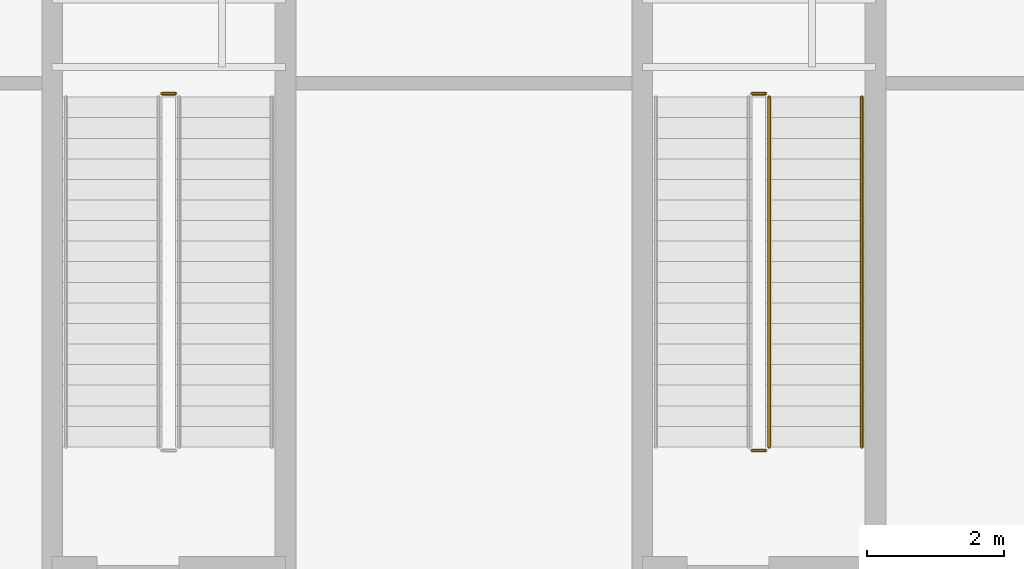
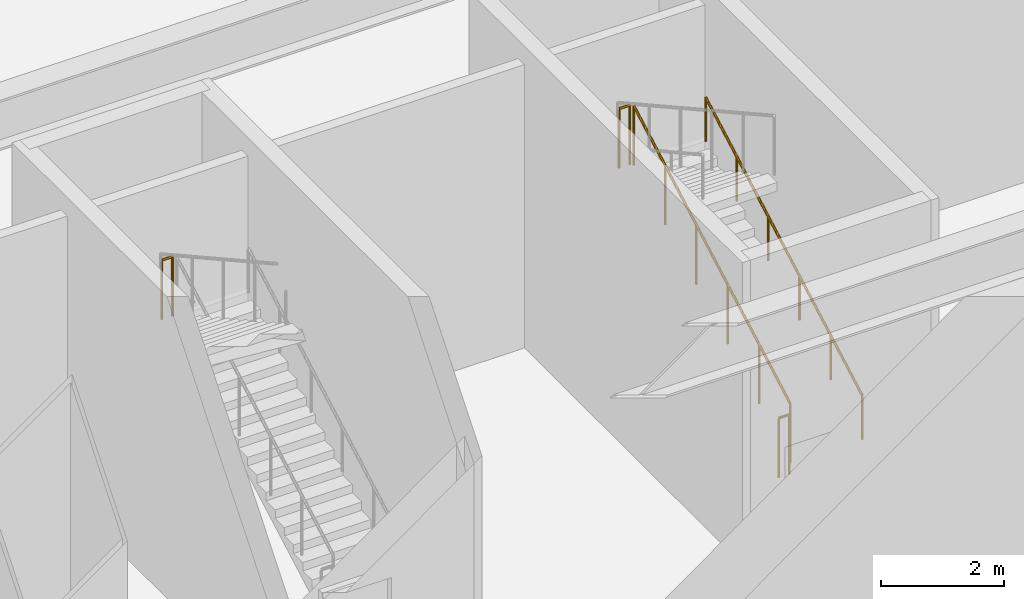
# One storey, part 17 of 20: 5 railings.
"""IFC4 building model written with IfcOpenShell, lengths in metres."""

from ifc_helpers import new_model, si_unit, direction, frame, origin, origin_2d, place, context, subcontext, project, spatial, circle, extrude, material, type_object, element, save


model = new_model("IFC4")

# Units and contexts
model_context = context("Model", 3, precision=1e-05, world=origin(), true_north=direction((0.0, 1.0)))
body_context = subcontext(model_context, "Body", "Model", "MODEL_VIEW")
ifc_project = project(units=[si_unit("LENGTHUNIT", "METRE"), si_unit("AREAUNIT", "SQUARE_METRE"), si_unit("VOLUMEUNIT", "CUBIC_METRE"), si_unit("PLANEANGLEUNIT", "RADIAN"), si_unit("MASSUNIT", "GRAM", prefix="KILO")], contexts=[model_context])

# Site, building, storey
site_placement = place(None, origin())
site = spatial("IfcSite", under=ifc_project, at=site_placement, CompositionType="ELEMENT")
building_placement = place(site_placement, origin())
building = spatial("IfcBuilding", under=site, at=building_placement, Name="Qiaolan Cultural Towers", CompositionType="ELEMENT")
storey_placement = place(building_placement, frame((0.0, 0.0, -12.0)))
storey = spatial("IfcBuildingStorey", under=building, at=storey_placement, Name="B2", CompositionType="ELEMENT", Elevation=-12.0)

# Railings
ifc_material_1 = material(Name="Galvanized Painted Steel Stair Guardrail", Category="steel")
railing_type_1 = type_object("IfcRailingType", Name="RL-STAIR-GRD", PredefinedType="GUARDRAIL", material=ifc_material_1)
railing_1_placement = place(storey_placement, frame((51.949951171875, 10.35009765625, 3.0)))
element("IfcRailing", 1, at=railing_1_placement, inside=storey, type_object=railing_type_1, Name="B2 ST-M1 stair guard 2", PredefinedType="GUARDRAIL", context=body_context, shape_type="SweptSolid", body=[
    extrude(circle(Radius=0.02392578125, at=origin_2d()), frame((0.0, 0.0, 1.17578125), z_axis=(-1.0, 0.0, 0.0), x_axis=(0.0, -1.0, 0.0)), (0.0, 0.0, 1.0), 0.199951171875),
    extrude(circle(Radius=0.02099609375, at=origin_2d()), origin(), (0.0, 0.0, 1.0), 1.15185546875),
    extrude(circle(Radius=0.02099609375, at=origin_2d()), frame((-0.199951171875, 0.0, 0.0)), (0.0, 0.0, 1.0), 1.15185546875),
])
railing_2_placement = place(storey_placement, frame((60.60009765625, 5.199951171875, 0.166748046875)))
element("IfcRailing", 2, at=railing_2_placement, inside=storey, type_object=railing_type_1, Name="B2 ST-M2 stair guard 1", PredefinedType="GUARDRAIL", context=body_context, shape_type="SweptSolid", body=[
    extrude(circle(Radius=0.02392578125, at=origin_2d()), frame((0.0, 0.0, 1.17578125), z_axis=(0.0, 0.874167145328, 0.485625166182), x_axis=(-1.0, 0.0, 0.0)), (0.0, 0.0, 1.0), 5.834228515625),
    extrude(circle(Radius=0.02099609375, at=origin_2d()), origin(), (0.0, 0.0, 1.0), 1.15185546875),
    extrude(circle(Radius=0.02099609375, at=origin_2d()), frame((0.0, 1.02001953125, 0.566650390625)), (0.0, 0.0, 1.0), 1.15185546875),
    extrude(circle(Radius=0.02099609375, at=origin_2d()), frame((0.0, 2.0400390625, 1.13330078125)), (0.0, 0.0, 1.0), 1.15185546875),
    extrude(circle(Radius=0.02099609375, at=origin_2d()), frame((0.0, 3.06005859375, 1.699951171875)), (0.0, 0.0, 1.0), 1.15185546875),
    extrude(circle(Radius=0.02099609375, at=origin_2d()), frame((0.0, 4.080078125, 2.2666015625)), (0.0, 0.0, 1.0), 1.15185546875),
    extrude(circle(Radius=0.02099609375, at=origin_2d()), frame((0.0, 5.10009765625, 2.833251953125)), (0.0, 0.0, 1.0), 1.15185546875),
])
for number, where, name in (
    (3, (60.550048828125, 10.35009765625, 3.0), "B2 ST-M2 stair guard 2"),
    (4, (60.550048828125, 5.14990234375, 0.0), "B2 ST-M2 stair guard 4"),
):
    element("IfcRailing", number, at=place(storey_placement, frame(where)), inside=storey, type_object=railing_type_1, Name=name, PredefinedType="GUARDRAIL", context=body_context, shape_type="SweptSolid", body=[
        extrude(circle(Radius=0.02392578125, at=origin_2d()), frame((0.0, 0.0, 1.17578125), z_axis=(-1.0, 0.0, 0.0), x_axis=(0.0, -1.0, 0.0)), (0.0, 0.0, 1.0), 0.199951171875),
        extrude(circle(Radius=0.02099609375, at=origin_2d()), origin(), (0.0, 0.0, 1.0), 1.15185546875),
        extrude(circle(Radius=0.02099609375, at=origin_2d()), frame((-0.199951171875, 0.0, 0.0)), (0.0, 0.0, 1.0), 1.15185546875),
    ])
ifc_material_2 = material(Name="Stainless Steel S30408 Tubular Handrail", Category="steel")
railing_type_2 = type_object("IfcRailingType", Name="RL-STAIR-HR", PredefinedType="HANDRAIL", material=ifc_material_2)
railing_3_placement = place(storey_placement, frame((61.949951171875, 5.199951171875, 0.166748046875)))
element("IfcRailing", 5, at=railing_3_placement, inside=storey, type_object=railing_type_2, Name="B2 ST-M2 stair handrail 1", PredefinedType="HANDRAIL", context=body_context, shape_type="SweptSolid", body=[
    extrude(circle(Radius=0.02392578125, at=origin_2d()), frame((0.0, 0.0, 0.8759765625), z_axis=(0.0, 0.874167145328, 0.485625166182), x_axis=(-1.0, 0.0, 0.0)), (0.0, 0.0, 1.0), 5.834228515625),
    extrude(circle(Radius=0.02099609375, at=origin_2d()), origin(), (0.0, 0.0, 1.0), 0.851806640625),
    extrude(circle(Radius=0.02099609375, at=origin_2d()), frame((0.0, 1.02001953125, 0.566650390625)), (0.0, 0.0, 1.0), 0.851806640625),
    extrude(circle(Radius=0.02099609375, at=origin_2d()), frame((0.0, 2.0400390625, 1.13330078125)), (0.0, 0.0, 1.0), 0.851806640625),
    extrude(circle(Radius=0.02099609375, at=origin_2d()), frame((0.0, 3.06005859375, 1.699951171875)), (0.0, 0.0, 1.0), 0.851806640625),
    extrude(circle(Radius=0.02099609375, at=origin_2d()), frame((0.0, 4.080078125, 2.2666015625)), (0.0, 0.0, 1.0), 0.851806640625),
    extrude(circle(Radius=0.02099609375, at=origin_2d()), frame((0.0, 5.10009765625, 2.833251953125)), (0.0, 0.0, 1.0), 0.851806640625),
])

save(model, "model.ifc")
